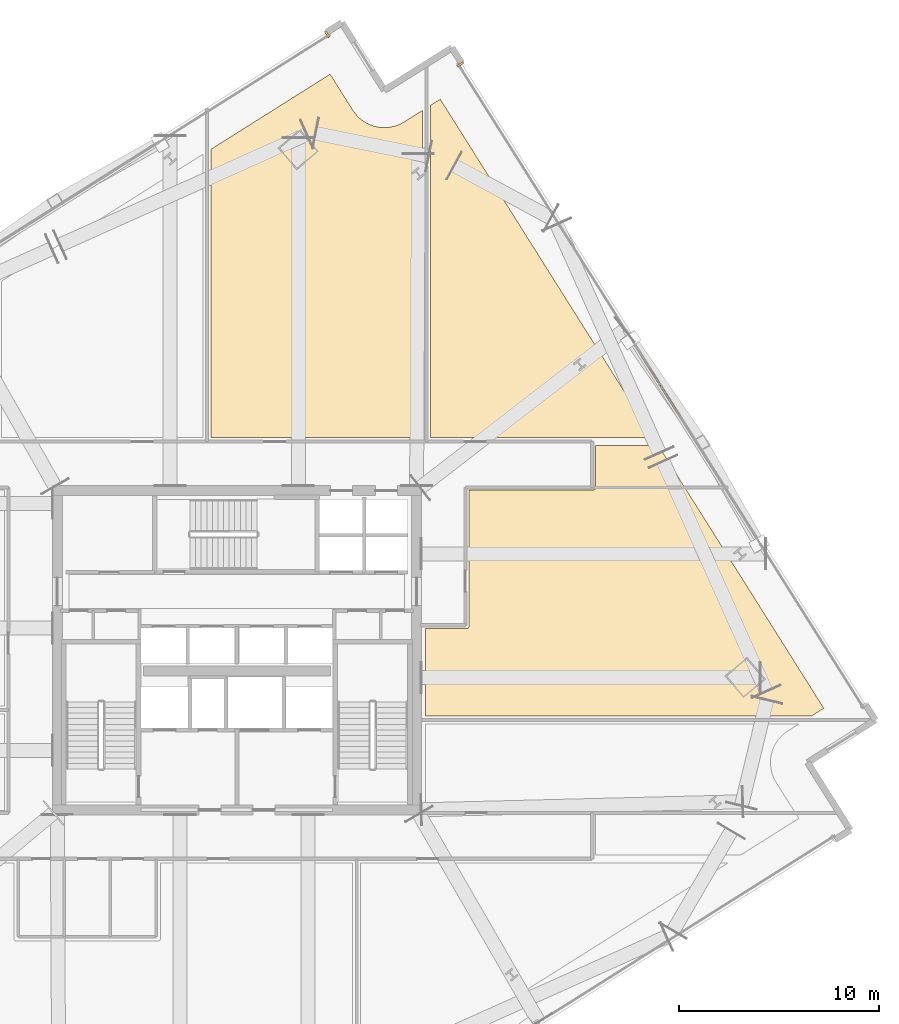
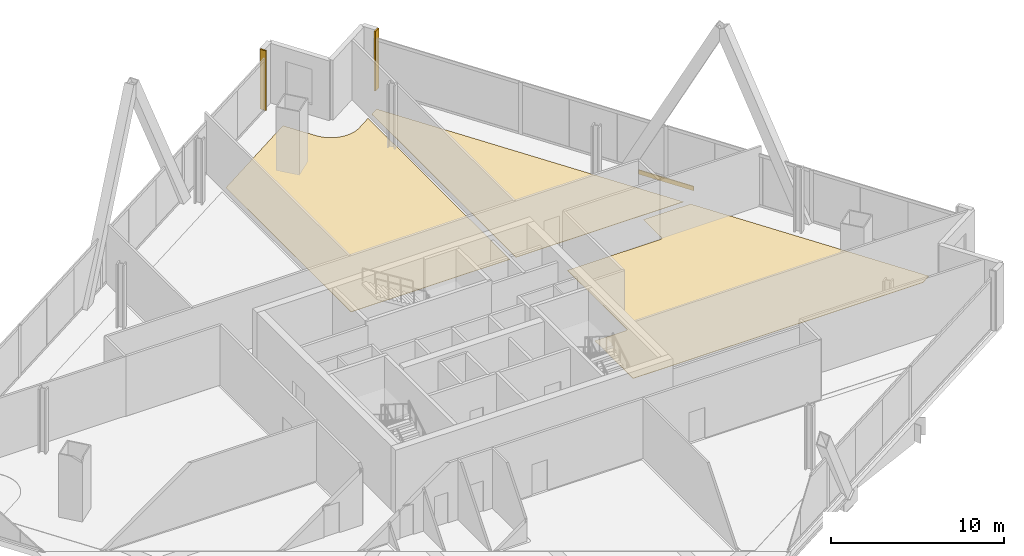
# One storey, part 29 of 29: 6 coverings.
"""IFC4 building model written with IfcOpenShell, lengths in metres."""

import ifcopenshell
import ifcopenshell.guid

model = None  # the IFC model being written
_history = None  # IfcOwnerHistory: only IFC2X3 demands one
_inside = {}  # id of a spatial element -> (the spatial element, [elements in it])
_under = {}  # id of a project, library or spatial element -> (it, [spatial elements below it])
_declared = {}  # id of a project -> (the project, [libraries it declares])
_typed = {}  # id of a type object -> (the type object, [elements of that type])
_made_of = {}  # id of a material, layer set ... -> (it, [elements and type objects made of it])


def new_model(schema):
    """Start an empty IFC model of exactly this schema.

    Asked for "IFC4X3", IfcOpenShell would pick the latest addendum, in which some entities
    have other attributes; the version numbers below select the first issue.
    IFC2X3 requires an IfcOwnerHistory on every rooted entity: one is made here for all.
    """
    global model, _history
    if schema == "IFC4X3":
        model = ifcopenshell.file(schema_version=(4, 3, 0, 0))
    else:
        model = ifcopenshell.file(schema=schema)
    _inside.clear()
    _under.clear()
    _declared.clear()
    _typed.clear()
    _made_of.clear()
    _history = None
    if model.schema == "IFC2X3":
        org = make("IfcOrganization", Name="unknown")
        user = make(
            "IfcPersonAndOrganization",
            ThePerson=make("IfcPerson", FamilyName="unknown"),
            TheOrganization=org,
        )
        app = make(
            "IfcApplication",
            ApplicationDeveloper=org,
            Version="unknown",
            ApplicationFullName="unknown",
            ApplicationIdentifier="unknown",
        )
        _history = make(
            "IfcOwnerHistory",
            OwningUser=user,
            OwningApplication=app,
            ChangeAction="ADDED",
            CreationDate=0,
        )
    return model


def make(cls, **values):
    """One entity of the class cls with the attributes given. An attribute that is None is left unset."""
    return model.create_entity(
        cls, **{name: value for name, value in values.items() if value is not None}
    )


def rooted(cls, **values):
    """An entity with a GlobalId (a new one), such as an element, a storey or a relation."""
    return make(cls, GlobalId=ifcopenshell.guid.new(), OwnerHistory=_history, **values)


def si_unit(unit_type, name, prefix=None):
    """IfcSIUnit, for example si_unit("LENGTHUNIT", "METRE", prefix="MILLI")."""
    return make("IfcSIUnit", UnitType=unit_type, Prefix=prefix, Name=name)


def assignment(units):
    """IfcUnitAssignment: the units of a project."""
    return None if units is None else make("IfcUnitAssignment", Units=units)


def point(xyz):
    """IfcCartesianPoint."""
    return None if xyz is None else make("IfcCartesianPoint", Coordinates=xyz)


def direction(xyz):
    """IfcDirection."""
    return None if xyz is None else make("IfcDirection", DirectionRatios=xyz)


def frame(location, z_axis=None, x_axis=None):
    """IfcAxis2Placement3D, a coordinate frame: its origin and axes. An axis left out is left unset."""
    return make(
        "IfcAxis2Placement3D",
        Location=point(location),
        Axis=direction(z_axis),
        RefDirection=direction(x_axis),
    )


def frame_2d(location, x_axis=None):
    """IfcAxis2Placement2D, a coordinate frame in the plane: its origin and x axis."""
    return make(
        "IfcAxis2Placement2D", Location=point(location), RefDirection=direction(x_axis)
    )


def origin():
    """The frame at (0, 0, 0) with its axes left unset."""
    return frame((0.0, 0.0, 0.0))


def origin_2d():
    """The frame at (0, 0) in the plane with its x axis left unset."""
    return frame_2d((0.0, 0.0))


def place(relative_to, where):
    """IfcLocalPlacement: puts the frame where relative to a parent placement (None: the world)."""
    return make(
        "IfcLocalPlacement", PlacementRelTo=relative_to, RelativePlacement=where
    )


def context(
    kind, dimensions, precision=None, world=None, true_north=None, identifier=None
):
    """IfcGeometricRepresentationContext, for example the 3D "Model" context."""
    return make(
        "IfcGeometricRepresentationContext",
        ContextIdentifier=identifier,
        ContextType=kind,
        CoordinateSpaceDimension=dimensions,
        Precision=precision,
        WorldCoordinateSystem=world,
        TrueNorth=true_north,
    )


def subcontext(parent, identifier, kind, view, scale=None):
    """IfcGeometricRepresentationSubContext, for example "Body" below "Model"."""
    return make(
        "IfcGeometricRepresentationSubContext",
        ContextIdentifier=identifier,
        ContextType=kind,
        ParentContext=parent,
        TargetScale=scale,
        TargetView=view,
    )


def project(units=None, contexts=None):
    """IfcProject with its units and contexts."""
    return rooted(
        "IfcProject",
        Name="project",
        RepresentationContexts=contexts,
        UnitsInContext=assignment(units),
    )


def spatial(cls, under=None, at=None, **own):
    """A site, building, storey or space (cls), placed at a placement, below another one or the project."""
    s = rooted(cls, ObjectPlacement=at, **own)
    if under is not None:
        _under.setdefault(under.id(), (under, []))[1].append(s)
    return s


def polyline(points):
    """IfcPolyline through the points."""
    return make("IfcPolyline", Points=[point(p) for p in points])


def profile(cls, at=None, kind="AREA", **sizes):
    """A parametric profile (cls). Its sizes go by their IFC names, for example OverallWidth=200.0."""
    return make(cls, ProfileType=kind, Position=at, **sizes)


def rectangle(**sizes):
    """IfcRectangleProfileDef."""
    return profile("IfcRectangleProfileDef", **sizes)


def outline(outer, holes=None, kind="AREA"):
    """IfcArbitraryClosedProfileDef: a profile drawn as a closed curve; with holes, ...WithVoids."""
    if holes is None:
        return make("IfcArbitraryClosedProfileDef", ProfileType=kind, OuterCurve=outer)
    return make(
        "IfcArbitraryProfileDefWithVoids",
        ProfileType=kind,
        OuterCurve=outer,
        InnerCurves=holes,
    )


def extrude(swept, where, along, depth):
    """IfcExtrudedAreaSolid: the profile swept, set in the frame where, extruded along a direction by depth."""
    return make(
        "IfcExtrudedAreaSolid",
        SweptArea=swept,
        Position=where,
        ExtrudedDirection=direction(along),
        Depth=depth,
    )


def shape(context_of_items, identifier, shape_type, items):
    """IfcShapeRepresentation: the items that make up one representation, for example the "Body"."""
    return make(
        "IfcShapeRepresentation",
        ContextOfItems=context_of_items,
        RepresentationIdentifier=identifier,
        RepresentationType=shape_type,
        Items=items,
    )


def source(mapping_origin, context_of_items, identifier, shape_type, items):
    """IfcRepresentationMap: a shape defined once, which mapped items show again and again."""
    return make(
        "IfcRepresentationMap",
        MappingOrigin=mapping_origin,
        MappedRepresentation=shape(context_of_items, identifier, shape_type, items),
    )


def transform(
    local_origin,
    x_axis=None,
    y_axis=None,
    z_axis=None,
    scale=None,
    scale2=None,
    scale3=None,
    uniform=True,
):
    """IfcCartesianTransformationOperator3D, or its non-uniform kind. x_axis, y_axis, z_axis: its Axis1, 2, 3."""
    if uniform:
        return make(
            "IfcCartesianTransformationOperator3D",
            Axis1=direction(x_axis),
            Axis2=direction(y_axis),
            LocalOrigin=point(local_origin),
            Scale=scale,
            Axis3=direction(z_axis),
        )
    return make(
        "IfcCartesianTransformationOperator3DnonUniform",
        Axis1=direction(x_axis),
        Axis2=direction(y_axis),
        LocalOrigin=point(local_origin),
        Scale=scale,
        Axis3=direction(z_axis),
        Scale2=scale2,
        Scale3=scale3,
    )


def mapped(mapping_source, mapping_target):
    """IfcMappedItem: shows the shape of a source again, moved by a transform."""
    return make(
        "IfcMappedItem", MappingSource=mapping_source, MappingTarget=mapping_target
    )


def material(Name=None, Category=None):
    """IfcMaterial."""
    return make("IfcMaterial", Name=Name, Category=Category)


def layer(
    of_material, thickness, ventilated=None, Name=None, Category=None, Priority=None
):
    """IfcMaterialLayer: one layer of a wall or slab, of a material (None: an air gap)."""
    return make(
        "IfcMaterialLayer",
        Material=of_material,
        LayerThickness=thickness,
        IsVentilated=ventilated,
        Name=Name,
        Category=Category,
        Priority=Priority,
    )


def layer_set(layers, Name=None):
    """IfcMaterialLayerSet."""
    return make("IfcMaterialLayerSet", MaterialLayers=layers, LayerSetName=Name)


def made_of(thing, what):
    """Note that an element or type object is made of a material, layer set ...; save() writes the relation."""
    if what is not None:
        _made_of.setdefault(what.id(), (what, []))[1].append(thing)
    return thing


def type_object(cls, material=None, **own):
    """A type object (cls), such as IfcWallType, which elements share."""
    return made_of(rooted(cls, **own), material)


def element(
    cls,
    number,
    at=None,
    inside=None,
    cuts=None,
    type_object=None,
    material=None,
    context=None,
    identifier="Body",
    shape_type=None,
    held_by="IfcProductDefinitionShape",
    body=None,
    shapes=None,
    **own,
):
    """One element of the class cls, such as IfcWall. Its Tag is "e" and its number.

    at: its placement. inside: the storey or other place that contains it. cuts: it is an
    opening in that element (IfcRelVoidsElement). A single representation is given by context,
    identifier, shape_type and body (its items); several are given by shapes. held_by: the class
    of the entity that holds the representations. save() writes the other relations.
    """
    e = rooted(cls, Tag="e%d" % number, ObjectPlacement=at, **own)
    if body is not None:
        shapes = [shape(context, identifier, shape_type, body)]
    if shapes is not None:
        e.Representation = make(held_by, Representations=shapes)
    if inside is not None:
        _inside.setdefault(inside.id(), (inside, []))[1].append(e)
    if cuts is not None:
        rooted(
            "IfcRelVoidsElement", RelatingBuildingElement=cuts, RelatedOpeningElement=e
        )
    if type_object is not None:
        _typed.setdefault(type_object.id(), (type_object, []))[1].append(e)
    return made_of(e, material)


def aggregate(whole, parts):
    """IfcRelAggregates: a whole, such as a stair, and the parts it consists of."""
    return rooted("IfcRelAggregates", RelatingObject=whole, RelatedObjects=parts)


def save(model, path):
    """Write the relations noted so far, then the file.

    IfcRelAggregates (storeys below a building ...), IfcRelContainedInSpatialStructure (elements
    in a storey), IfcRelDefinesByType, IfcRelAssociatesMaterial and IfcRelDeclares: one each for
    every whole, place, type object, material and project.
    """
    for whole, parts in _under.values():
        aggregate(whole, parts)
    for where, things in _inside.values():
        rooted(
            "IfcRelContainedInSpatialStructure",
            RelatedElements=things,
            RelatingStructure=where,
        )
    for kind, things in _typed.values():
        rooted("IfcRelDefinesByType", RelatedObjects=things, RelatingType=kind)
    for what, things in _made_of.values():
        rooted("IfcRelAssociatesMaterial", RelatedObjects=things, RelatingMaterial=what)
    for by, libraries in _declared.values():
        rooted("IfcRelDeclares", RelatingContext=by, RelatedDefinitions=libraries)
    model.write(path)


model = new_model("IFC4")

# Units and contexts
model_context = context("Model", 3, precision=1e-05, world=origin(), true_north=direction((0.0, 1.0)))
body_context = subcontext(model_context, "Body", "Model", "MODEL_VIEW")
ifc_project = project(units=[si_unit("LENGTHUNIT", "METRE"), si_unit("AREAUNIT", "SQUARE_METRE"), si_unit("VOLUMEUNIT", "CUBIC_METRE"), si_unit("PLANEANGLEUNIT", "RADIAN"), si_unit("MASSUNIT", "GRAM", prefix="KILO")], contexts=[model_context])

# Site, building, storey
site_placement = place(None, origin())
site = spatial("IfcSite", under=ifc_project, at=site_placement, CompositionType="ELEMENT")
building_placement = place(site_placement, origin())
building = spatial("IfcBuilding", under=site, at=building_placement, Name="Haldenkirk Collegiate Tower", CompositionType="ELEMENT")
storey_placement = place(building_placement, frame((0.0, 0.0, 136.199951171875)))
storey = spatial("IfcBuildingStorey", under=building, at=storey_placement, Name="L33", CompositionType="ELEMENT", Elevation=136.199951171875)

# Coverings
ifc_material_1 = material(Name="Polished collegiate terrazzo", Category="concrete")
ifc_layer_1 = layer(ifc_material_1, 0.02490234375)
ifc_layer_set_1 = layer_set([ifc_layer_1], Name="Polished collegiate terrazzo")
covering_type_1 = type_object("IfcCoveringType", Name="COV-FLOOR-TERRAZZO", PredefinedType="FLOORING", material=ifc_layer_set_1)
covering_1_placement = place(storey_placement, origin())
element("IfcCovering", 1, at=covering_1_placement, inside=storey, type_object=covering_type_1, Name="L33 academic room finish 06", PredefinedType="FLOORING", context=body_context, shape_type="SweptSolid", body=[
    extrude(outline(polyline([(46.187255859375, 53.604248046875), (56.86376953125, 36.64990234375), (45.699951171875, 36.64990234375), (45.699951171875, 53.297607421875), (46.187255859375, 53.604248046875)])), origin(), (0.0, 0.0, 1.0), 0.025146484375),
])
covering_2_placement = place(storey_placement, origin())
element("IfcCovering", 2, at=covering_2_placement, inside=storey, type_object=covering_type_1, Name="L33 academic room finish 10", PredefinedType="FLOORING", context=body_context, shape_type="SweptSolid", body=[
    extrude(outline(polyline([(64.78271484375, 22.699951171875), (45.449951171875, 22.699951171875), (45.449951171875, 27.080078125), (47.5, 27.080078125), (47.51171875, 27.08056640625), (47.5234375, 27.082275390625), (47.534912109375, 27.085205078125), (47.5458984375, 27.089111328125), (47.556640625, 27.09423828125), (47.566650390625, 27.10009765625), (47.576171875, 27.107177734375), (47.5849609375, 27.114990234375), (47.5927734375, 27.123779296875), (47.599853515625, 27.13330078125), (47.605712890625, 27.143310546875), (47.61083984375, 27.154052734375), (47.61474609375, 27.165283203125), (47.61767578125, 27.176513671875), (47.619384765625, 27.188232421875), (47.6201171875, 27.199951171875), (47.6201171875, 34.030029296875), (53.85009765625, 34.030029296875), (53.86181640625, 34.030517578125), (53.873291015625, 34.0322265625), (53.884765625, 34.03515625), (53.89599609375, 34.0390625), (53.906494140625, 34.044189453125), (53.916748046875, 34.05029296875), (53.926025390625, 34.05712890625), (53.934814453125, 34.065185546875), (53.94287109375, 34.073974609375), (53.94970703125, 34.083251953125), (53.955810546875, 34.093505859375), (53.9609375, 34.10400390625), (53.96484375, 34.115234375), (53.9677734375, 34.126708984375), (53.969482421875, 34.13818359375), (53.969970703125, 34.14990234375), (53.969970703125, 36.25), (57.11572265625, 36.25), (65.402587890625, 23.090576171875), (64.78271484375, 22.699951171875)])), origin(), (0.0, 0.0, 1.0), 0.025146484375),
])
ifc_material_2 = material(Name="Engineered collegiate oak acoustic flooring", Category="wood")
ifc_layer_2 = layer(ifc_material_2, 0.02197265625)
ifc_layer_set_2 = layer_set([ifc_layer_2], Name="Engineered collegiate oak acoustic flooring")
covering_type_2 = type_object("IfcCoveringType", Name="COV-FLOOR-TIMBER", PredefinedType="FLOORING", material=ifc_layer_set_2)
covering_3_placement = place(storey_placement, origin())
element("IfcCovering", 3, at=covering_3_placement, inside=storey, type_object=covering_type_2, Name="L33 academic room finish 05", PredefinedType="FLOORING", context=body_context, shape_type="SweptSolid", body=[
    extrude(outline(polyline([(41.805908203125, 53.05517578125), (41.80908203125, 53.05029296875), (41.90771484375, 52.90966796875), (41.914794921875, 52.900390625), (42.026611328125, 52.77001953125), (42.034912109375, 52.761474609375), (42.158935546875, 52.642578125), (42.167724609375, 52.635009765625), (42.302978515625, 52.529052734375), (42.3125, 52.522216796875), (42.45751953125, 52.429931640625), (42.4677734375, 52.424072265625), (42.620849609375, 52.346435546875), (42.631591796875, 52.341552734375), (42.791748046875, 52.279296875), (42.802978515625, 52.275634765625), (42.96826171875, 52.2294921875), (42.979736328125, 52.226806640625), (43.14892578125, 52.197021484375), (43.160400390625, 52.195556640625), (43.331787109375, 52.1826171875), (43.34375, 52.18212890625), (43.515380859375, 52.18603515625), (43.527099609375, 52.18701171875), (43.697509765625, 52.20751953125), (43.708984375, 52.20947265625), (43.876708984375, 52.24658203125), (43.88818359375, 52.249755859375), (44.051513671875, 52.30322265625), (44.062255859375, 52.3076171875), (44.219482421875, 52.376708984375), (44.22998046875, 52.382080078125), (44.379638671875, 52.46630859375), (44.384765625, 52.46923828125), (45.300048828125, 53.04541015625), (45.300048828125, 36.64990234375), (34.699951171875, 36.64990234375), (34.699951171875, 51.097412109375), (40.6708984375, 54.857421875), (41.805908203125, 53.05517578125)])), origin(), (0.0, 0.0, 1.0), 0.02197265625),
])
ifc_material_3 = material(Name="Anodised architectural bronze aluminium", Category="aluminium")
ifc_layer_3 = layer(ifc_material_3, 0.06005859375)
ifc_layer_set_3 = layer_set([ifc_layer_3], Name="Anodised architectural bronze aluminium")
covering_type_3 = type_object("IfcCoveringType", Name="COV-CLAD-BRONZE-60", PredefinedType="CLADDING", material=ifc_layer_set_3)
shared_shape_1 = source(origin(), body_context, "Body", "SweptSolid", [
    extrude(rectangle(XDim=3.60009765625, YDim=0.06005859375, at=origin_2d()), origin(), (0.0, 0.0, 1.0), 0.300048828125),
])
covering_4_placement = place(storey_placement, frame((57.22509765625, 39.248046875, -0.2998046875), z_axis=(0.0, 0.0, 1.0), x_axis=(0.532876276071, -0.846193166128, 0.0)))
element("IfcCovering", 4, at=covering_4_placement, inside=storey, type_object=covering_type_3, Name="L33 architectural bronze spandrel cladding E", PredefinedType="CLADDING", context=body_context, shape_type="MappedRepresentation", body=[
    mapped(shared_shape_1, transform((0.0, 0.0, 0.0), x_axis=(1.0, 0.0, 0.0), y_axis=(0.0, 1.0, 0.0), z_axis=(0.0, 0.0, 1.0), scale=1.0)),
])
shared_shape_2 = source(origin(), body_context, "Body", "SweptSolid", [
    extrude(rectangle(XDim=0.10009765625, YDim=0.3798828125, at=origin_2d()), origin(), (0.0, 0.0, 1.0), 4.2099609375),
])
for number, where, z_axis, x_axis, name in (
    (5, (47.1923828125, 55.34814453125, 0.0), (0.0, 0.0, 1.0), (0.532876276071, -0.846193166128, 0.0), "L33 recessed curtain-wall bronze jamb closure EJL"),
    (6, (40.517822265625, 56.86474609375, 0.0), (0.0, 0.0, 1.0), (0.846193166128, 0.532876276071, 0.0), "L33 recessed curtain-wall bronze jamb closure NJR"),
):
    element("IfcCovering", number, at=place(storey_placement, frame(where, z_axis=z_axis, x_axis=x_axis)), inside=storey, type_object=covering_type_3, Name=name, PredefinedType="CLADDING", context=body_context, shape_type="MappedRepresentation", body=[
        mapped(shared_shape_2, transform((0.0, 0.0, 0.0), x_axis=(1.0, 0.0, 0.0), y_axis=(0.0, 1.0, 0.0), z_axis=(0.0, 0.0, 1.0), scale=1.0)),
    ])

save(model, "model.ifc")
